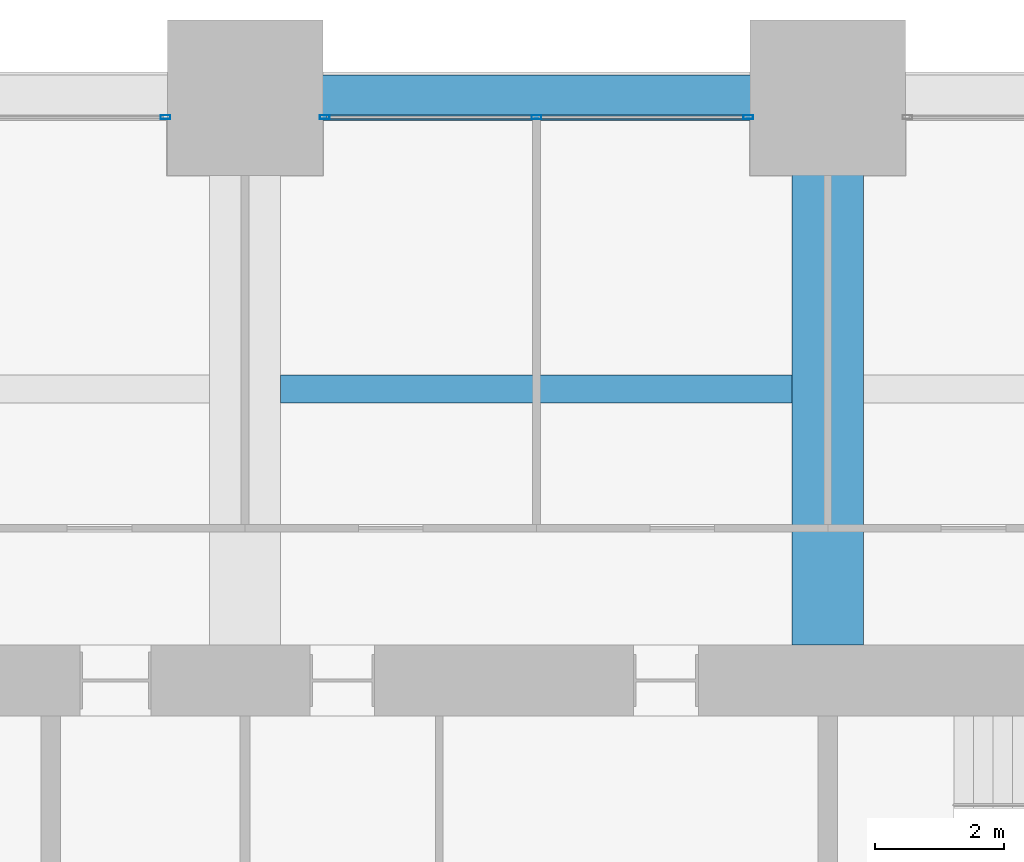
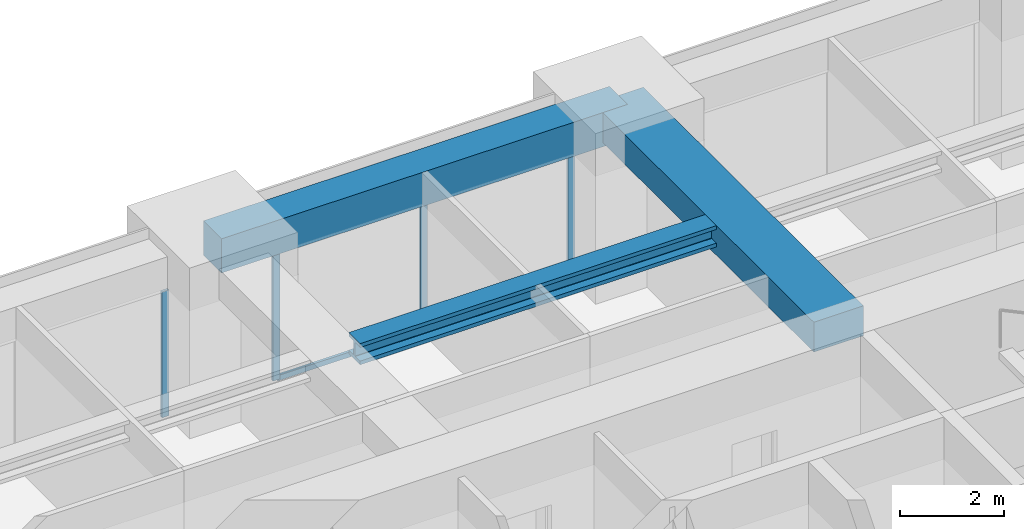
# One storey, part 25 of 34: 5 members, 3 beams, 2 elements without a shape of their own.
"""IFC4 building model written with IfcOpenShell, lengths in metres."""

from ifc_helpers import new_model, si_unit, direction, frame, origin, origin_2d, place, context, subcontext, project, spatial, rectangle, hollow_rectangle, i_section, extrude, material, material_profile, profile_set, type_object, element, aggregate, save


model = new_model("IFC4")

# Units and contexts
model_context = context("Model", 3, precision=1e-05, world=origin(), true_north=direction((0.0, 1.0)))
body_context = subcontext(model_context, "Body", "Model", "MODEL_VIEW")
ifc_project = project(units=[si_unit("LENGTHUNIT", "METRE"), si_unit("AREAUNIT", "SQUARE_METRE"), si_unit("VOLUMEUNIT", "CUBIC_METRE"), si_unit("PLANEANGLEUNIT", "RADIAN"), si_unit("MASSUNIT", "GRAM", prefix="KILO")], contexts=[model_context])

# Site, building, storey
site_placement = place(None, origin())
site = spatial("IfcSite", under=ifc_project, at=site_placement, CompositionType="ELEMENT")
building_placement = place(site_placement, origin())
building = spatial("IfcBuilding", under=site, at=building_placement, Name="Zorevar Civic Tower", CompositionType="ELEMENT")
storey_placement = place(building_placement, frame((0.0, 0.0, 170.199951171875)))
storey = spatial("IfcBuildingStorey", under=building, at=storey_placement, Name="L41", CompositionType="ELEMENT", Elevation=170.199951171875)

# Beam
ifc_material_1 = material(Name="Concrete C50/60", Category="concrete")
ifc_material_profile_1 = material_profile(ifc_material_1, rectangle(XDim=1.10009765625, YDim=0.699951171875, at=origin_2d()), Name="RC 1100x700")
ifc_profile_set_1 = profile_set([ifc_material_profile_1], Name="Concrete C50/60")
beam_type_1 = type_object("IfcBeamType", Name="Beam RC 1100x700", PredefinedType="BEAM", material=ifc_profile_set_1)
beam_1_placement = place(storey_placement, frame((36.0, 36.550048828125, 3.400146484375), z_axis=(0.0, 1.0, 0.0), x_axis=(-1.0, 0.0, 0.0)))
element("IfcBeam", 1, at=beam_1_placement, inside=storey, type_object=beam_type_1, Name="Girder L42", PredefinedType="BEAM", context=body_context, shape_type="SweptSolid", body=[
    extrude(rectangle(XDim=1.10009765625, YDim=0.699951171875, at=origin_2d()), origin(), (0.0, 0.0, 1.0), 8.449951171875),
])

# Curtain wall, member
ifc_material_2 = material(Name="Dark grey solar-control glass in black aluminium frame", Category="aluminium")
curtain_wall_type = type_object("IfcCurtainWallType", Name="Curtain wall CW4 high zone", PredefinedType="NOTDEFINED", material=ifc_material_2)
curtain_wall_1_placement = place(storey_placement, origin())
curtain_wall_1 = element("IfcCurtainWall", 2, at=curtain_wall_1_placement, inside=storey, type_object=curtain_wall_type, Name="CW4 L41", PredefinedType="NOTDEFINED")
ifc_material_3 = material(Name="Aluminium, black anodised", Category="aluminium")
ifc_material_profile_2 = material_profile(ifc_material_3, hollow_rectangle(XDim=0.06005859375, YDim=0.14990234375, WallThickness=0.00390625, at=origin_2d()), Name="AL 150x60x4")
ifc_profile_set_2 = profile_set([ifc_material_profile_2], Name="Aluminium, black anodised")
member_type_1 = type_object("IfcMemberType", Name="CW4 mullion AL 150x60x4", PredefinedType="MULLION", material=ifc_profile_set_2)
member_1_placement = place(storey_placement, frame((25.77001953125, 44.699951171875, 0.0), z_axis=(0.0, 0.0, 1.0), x_axis=(0.0, 1.0, 0.0)))
member_1 = element("IfcMember", 3, at=member_1_placement, type_object=member_type_1, Name="CW4 mullion 3", PredefinedType="MULLION", context=body_context, shape_type="SweptSolid", body=[
    extrude(hollow_rectangle(XDim=0.06005859375, YDim=0.14990234375, WallThickness=0.00390625, at=origin_2d()), origin(), (0.0, 0.0, 1.0), 2.949951171875),
])
aggregate(curtain_wall_1, [member_1])

# Curtain wall, members
curtain_wall_2_placement = place(storey_placement, origin())
curtain_wall_2 = element("IfcCurtainWall", 4, at=curtain_wall_2_placement, inside=storey, type_object=curtain_wall_type, Name="CW4 L41", PredefinedType="NOTDEFINED")
member_2_placement = place(storey_placement, frame((28.22998046875, 44.699951171875, 0.0), z_axis=(0.0, 0.0, 1.0), x_axis=(0.0, 1.0, 0.0)))
member_2 = element("IfcMember", 5, at=member_2_placement, type_object=member_type_1, Name="CW4 mullion 1", PredefinedType="MULLION", context=body_context, shape_type="SweptSolid", body=[
    extrude(hollow_rectangle(XDim=0.06005859375, YDim=0.14990234375, WallThickness=0.00390625, at=origin_2d()), origin(), (0.0, 0.0, 1.0), 2.949951171875),
])
member_3_placement = place(storey_placement, frame((31.5, 44.699951171875, 0.06005859375), z_axis=(0.0, 0.0, 1.0), x_axis=(0.0, 1.0, 0.0)))
member_3 = element("IfcMember", 6, at=member_3_placement, type_object=member_type_1, Name="CW4 mullion 2", PredefinedType="MULLION", context=body_context, shape_type="SweptSolid", body=[
    extrude(hollow_rectangle(XDim=0.06005859375, YDim=0.14990234375, WallThickness=0.00390625, at=origin_2d()), origin(), (0.0, 0.0, 1.0), 2.889892578125),
])
member_4_placement = place(storey_placement, frame((34.77001953125, 44.699951171875, 0.0), z_axis=(0.0, 0.0, 1.0), x_axis=(0.0, 1.0, 0.0)))
member_4 = element("IfcMember", 7, at=member_4_placement, type_object=member_type_1, Name="CW4 mullion 3", PredefinedType="MULLION", context=body_context, shape_type="SweptSolid", body=[
    extrude(hollow_rectangle(XDim=0.06005859375, YDim=0.14990234375, WallThickness=0.00390625, at=origin_2d()), origin(), (0.0, 0.0, 1.0), 2.949951171875),
])
ifc_material_4 = material(Name="Aluminium, black anodised", Category="aluminium")
ifc_material_profile_3 = material_profile(ifc_material_4, hollow_rectangle(XDim=0.06005859375, YDim=0.1201171875, WallThickness=0.0029296875, at=origin_2d()), Name="AL 120x60x3")
ifc_profile_set_3 = profile_set([ifc_material_profile_3], Name="Aluminium, black anodised")
member_type_2 = type_object("IfcMemberType", Name="CW4 transom AL 120x60x3", PredefinedType="USERDEFINED", material=ifc_profile_set_3)
member_5_placement = place(storey_placement, frame((28.260009765625, 44.699951171875, 0.030029296875), z_axis=(1.0, 0.0, 0.0), x_axis=(0.0, 1.0, 0.0)))
member_5 = element("IfcMember", 8, at=member_5_placement, type_object=member_type_2, Name="CW4 sill transom", ObjectType="TRANSOM", PredefinedType="USERDEFINED", context=body_context, shape_type="SweptSolid", body=[
    extrude(hollow_rectangle(XDim=0.06005859375, YDim=0.1201171875, WallThickness=0.0029296875, at=origin_2d()), origin(), (0.0, 0.0, 1.0), 6.47998046875),
])
aggregate(curtain_wall_2, [member_2, member_3, member_4, member_5])

# Beams
ifc_material_5 = material(Name="Steel S460M (HISTAR 460)", Category="steel")
ifc_material_profile_4 = material_profile(ifc_material_5, i_section(OverallWidth=0.431884765625, OverallDepth=0.498046875, WebThickness=0.0556640625, FlangeThickness=0.0888671875, FilletRadius=0.014892578125, at=origin_2d()), Name="HD 400x744")
ifc_profile_set_4 = profile_set([ifc_material_profile_4], Name="Steel S460M (HISTAR 460)")
beam_type_2 = type_object("IfcBeamType", Name="Core bay beam HD 400x744", PredefinedType="BEAM", material=ifc_profile_set_4)
beam_2_placement = place(storey_placement, frame((27.550048828125, 40.5, 3.5009765625), z_axis=(1.0, 0.0, 0.0), x_axis=(0.0, 1.0, 0.0)))
element("IfcBeam", 9, at=beam_2_placement, inside=storey, type_object=beam_type_2, Name="Secondary beam L42", PredefinedType="BEAM", context=body_context, shape_type="SweptSolid", body=[
    extrude(i_section(OverallWidth=0.431884765625, OverallDepth=0.498046875, WebThickness=0.0556640625, FlangeThickness=0.0888671875, FilletRadius=0.014892578125, at=origin_2d()), origin(), (0.0, 0.0, 1.0), 7.89990234375),
])
ifc_material_6 = material(Name="Concrete C50/60", Category="concrete")
ifc_material_profile_5 = material_profile(ifc_material_6, rectangle(XDim=0.699951171875, YDim=0.800048828125, at=origin_2d()), Name="RC 700x800")
ifc_profile_set_5 = profile_set([ifc_material_profile_5], Name="Concrete C50/60")
beam_type_3 = type_object("IfcBeamType", Name="Edge beam RC 700x800", PredefinedType="SPANDREL", material=ifc_profile_set_5)
beam_3_placement = place(storey_placement, frame((27.0, 45.0, 3.35009765625), z_axis=(1.0, 0.0, 0.0), x_axis=(0.0, 1.0, 0.0)))
element("IfcBeam", 10, at=beam_3_placement, inside=storey, type_object=beam_type_3, Name="Edge beam L42", PredefinedType="SPANDREL", context=body_context, shape_type="SweptSolid", body=[
    extrude(rectangle(XDim=0.699951171875, YDim=0.800048828125, at=origin_2d()), origin(), (0.0, 0.0, 1.0), 9.0),
])

save(model, "model.ifc")
